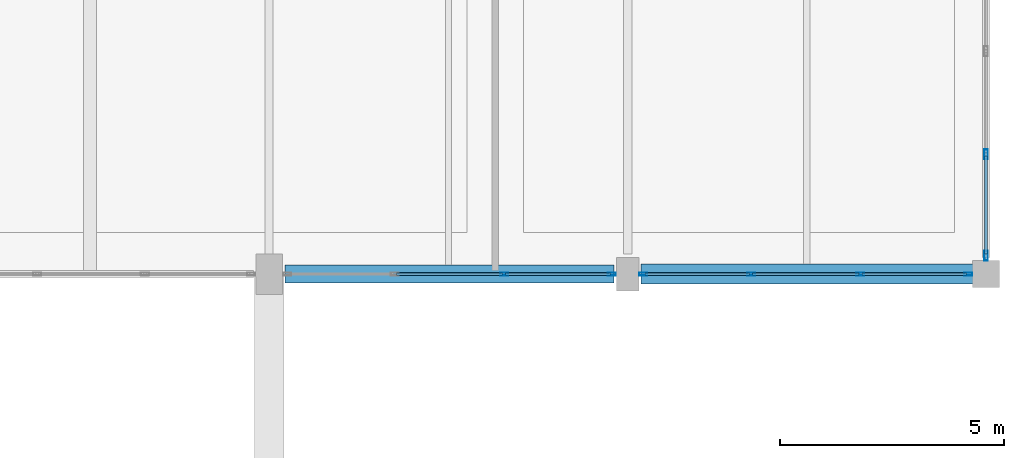
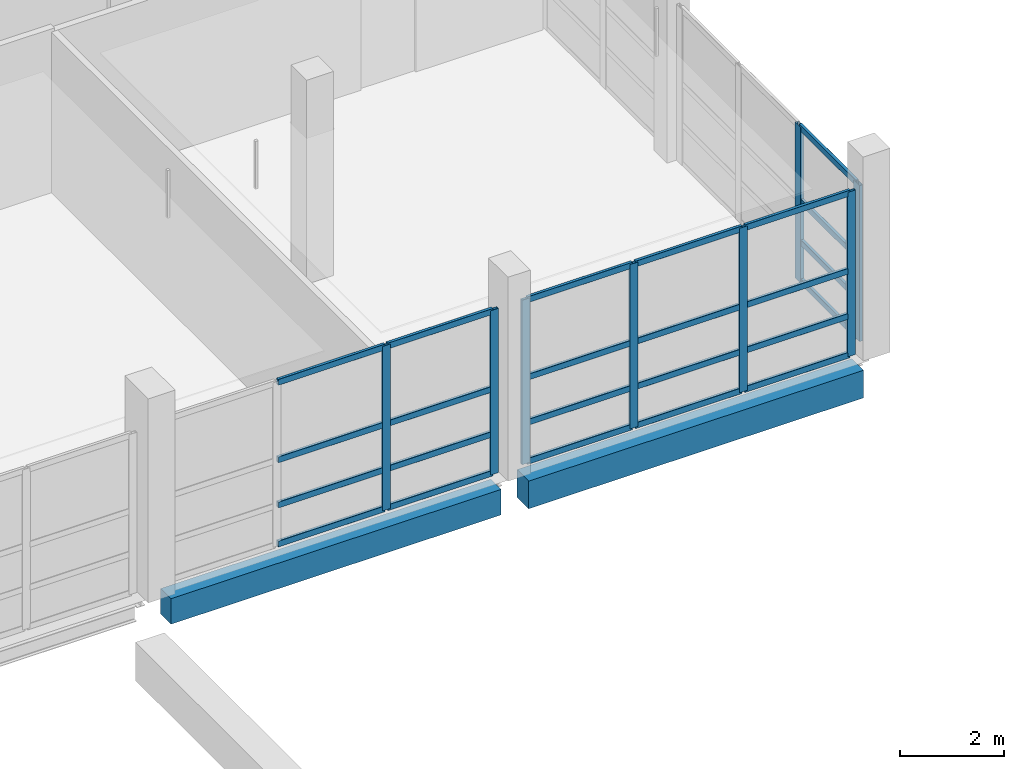
# One storey, part 52 of 107: 32 members, 2 beams, 3 elements without a shape of their own.
"""IFC4 building model written with IfcOpenShell, lengths in metres."""

from ifc_helpers import new_model, si_unit, direction, frame, origin, origin_2d, place, context, subcontext, project, spatial, rectangle, hollow_rectangle, extrude, material, material_profile, profile_set, type_object, element, aggregate, save


model = new_model("IFC4")

# Units and contexts
model_context = context("Model", 3, precision=1e-05, world=origin(), true_north=direction((0.0, 1.0)))
body_context = subcontext(model_context, "Body", "Model", "MODEL_VIEW")
ifc_project = project(units=[si_unit("LENGTHUNIT", "METRE"), si_unit("AREAUNIT", "SQUARE_METRE"), si_unit("VOLUMEUNIT", "CUBIC_METRE"), si_unit("PLANEANGLEUNIT", "RADIAN"), si_unit("MASSUNIT", "GRAM", prefix="KILO")], contexts=[model_context])

# Site, building, storey
site_placement = place(None, origin())
site = spatial("IfcSite", under=ifc_project, at=site_placement, CompositionType="ELEMENT")
building_placement = place(site_placement, origin())
building = spatial("IfcBuilding", under=site, at=building_placement, Name="Khelvaren Railside Concert Hall", CompositionType="ELEMENT")
storey_placement = place(building_placement, frame((0.0, 0.0, 15.0)))
storey = spatial("IfcBuildingStorey", under=building, at=storey_placement, Name="L03", CompositionType="ELEMENT", Elevation=15.0)

# Curtain wall, members
ifc_material_1 = material(Name="Double-glazed clear foyer glass", Category="glass")
curtain_wall_type_1 = type_object("IfcCurtainWallType", Name="CW68", PredefinedType="USERDEFINED", material=ifc_material_1)
curtain_wall_1_placement = place(storey_placement, origin())
curtain_wall_1 = element("IfcCurtainWall", 1, at=curtain_wall_1_placement, inside=storey, type_object=curtain_wall_type_1, Name="Unitised Curtain Wall CW-V5-L03-E-91", ObjectType="UNITISED CURTAIN WALL", PredefinedType="USERDEFINED")
ifc_material_2 = material(Name="Anodised architectural aluminium 6063-T6", Category="aluminium")
ifc_material_profile_1 = material_profile(ifc_material_2, hollow_rectangle(XDim=0.074951171875, YDim=0.219970703125, WallThickness=0.0048828125, InnerFilletRadius=0.0029296875, OuterFilletRadius=0.0048828125, at=origin_2d()), Name="CWM 75x220x5")
ifc_profile_set_1 = profile_set([ifc_material_profile_1], Name="Anodised architectural aluminium 6063-T6")
member_type_1 = type_object("IfcMemberType", Name="CWM13", PredefinedType="MULLION", material=ifc_profile_set_1)
member_1_placement = place(storey_placement, frame((184.0, 93.874267578125, 0.0), z_axis=(0.0, 0.0, 1.0), x_axis=(1.0, 0.0, 0.0)))
member_1 = element("IfcMember", 2, at=member_1_placement, type_object=member_type_1, Name="CW68 mullion 3", PredefinedType="MULLION", context=body_context, shape_type="SweptSolid", body=[
    extrude(hollow_rectangle(XDim=0.074951171875, YDim=0.219970703125, WallThickness=0.0048828125, InnerFilletRadius=0.0029296875, OuterFilletRadius=0.0048828125, at=origin_2d()), origin(), (0.0, 0.0, 1.0), 3.669921875),
])
member_2_placement = place(storey_placement, frame((184.0, 91.610107421875, 0.0), z_axis=(0.0, 0.0, 1.0), x_axis=(1.0, 0.0, 0.0)))
member_2 = element("IfcMember", 3, at=member_2_placement, type_object=member_type_1, Name="CW68 mullion 4", PredefinedType="MULLION", context=body_context, shape_type="SweptSolid", body=[
    extrude(hollow_rectangle(XDim=0.074951171875, YDim=0.219970703125, WallThickness=0.0048828125, InnerFilletRadius=0.0029296875, OuterFilletRadius=0.0048828125, at=origin_2d()), origin(), (0.0, 0.0, 1.0), 3.669921875),
])

ifc_material_3 = material(Name="Double-glazed low-E dark acoustic glass", Category="glass")
curtain_wall_type_2 = type_object("IfcCurtainWallType", Name="CW94", PredefinedType="USERDEFINED", material=ifc_material_3)
curtain_wall_2_placement = place(storey_placement, origin())
curtain_wall_2 = element("IfcCurtainWall", 4, at=curtain_wall_2_placement, inside=storey, type_object=curtain_wall_type_2, Name="Unitised Curtain Wall CW-V5-L03-S-168", ObjectType="UNITISED CURTAIN WALL", PredefinedType="USERDEFINED")
ifc_material_profile_2 = material_profile(ifc_material_2, hollow_rectangle(XDim=0.06494140625, YDim=0.179931640625, WallThickness=0.00390625, InnerFilletRadius=0.001953125, OuterFilletRadius=0.00390625, at=origin_2d()), Name="CWM 65x180x4")
ifc_profile_set_2 = profile_set([ifc_material_profile_2], Name="Anodised architectural aluminium 6063-T6")
member_type_2 = type_object("IfcMemberType", Name="CWM63", PredefinedType="MULLION", material=ifc_profile_set_2)
member_3_placement = place(storey_placement, frame((175.64990234375, 91.199951171875, 0.0), z_axis=(0.0, 0.0, 1.0), x_axis=(0.0, -1.0, 0.0)))
member_3 = element("IfcMember", 5, at=member_3_placement, type_object=member_type_2, Name="CW94 mullion 1", PredefinedType="MULLION", context=body_context, shape_type="SweptSolid", body=[
    extrude(hollow_rectangle(XDim=0.06494140625, YDim=0.179931640625, WallThickness=0.00390625, InnerFilletRadius=0.001953125, OuterFilletRadius=0.00390625, at=origin_2d()), origin(), (0.0, 0.0, 1.0), 3.8701171875),
])
member_4_placement = place(storey_placement, frame((173.244140625, 91.199951171875, 0.0), z_axis=(0.0, 0.0, 1.0), x_axis=(0.0, -1.0, 0.0)))
member_4 = element("IfcMember", 6, at=member_4_placement, type_object=member_type_2, Name="CW94 mullion 2", PredefinedType="MULLION", context=body_context, shape_type="SweptSolid", body=[
    extrude(hollow_rectangle(XDim=0.06494140625, YDim=0.179931640625, WallThickness=0.00390625, InnerFilletRadius=0.001953125, OuterFilletRadius=0.00390625, at=origin_2d()), origin(), (0.0, 0.0, 1.0), 3.8701171875),
])

curtain_wall_type_3 = type_object("IfcCurtainWallType", Name="CW65", PredefinedType="USERDEFINED", material=ifc_material_3)
curtain_wall_3_placement = place(storey_placement, origin())
curtain_wall_3 = element("IfcCurtainWall", 7, at=curtain_wall_3_placement, inside=storey, type_object=curtain_wall_type_3, Name="Unitised Curtain Wall CW-V5-L03-S-176", ObjectType="UNITISED CURTAIN WALL", PredefinedType="USERDEFINED")
member_5_placement = place(storey_placement, frame((183.60009765625, 91.199951171875, 0.0), z_axis=(0.0, 0.0, 1.0), x_axis=(0.0, -1.0, 0.0)))
member_5 = element("IfcMember", 8, at=member_5_placement, type_object=member_type_2, Name="CW65 mullion 1", PredefinedType="MULLION", context=body_context, shape_type="SweptSolid", body=[
    extrude(hollow_rectangle(XDim=0.06494140625, YDim=0.179931640625, WallThickness=0.00390625, InnerFilletRadius=0.001953125, OuterFilletRadius=0.00390625, at=origin_2d()), origin(), (0.0, 0.0, 1.0), 3.8701171875),
])
member_6_placement = place(storey_placement, frame((181.194091796875, 91.199951171875, 0.0), z_axis=(0.0, 0.0, 1.0), x_axis=(0.0, -1.0, 0.0)))
member_6 = element("IfcMember", 9, at=member_6_placement, type_object=member_type_2, Name="CW65 mullion 2", PredefinedType="MULLION", context=body_context, shape_type="SweptSolid", body=[
    extrude(hollow_rectangle(XDim=0.06494140625, YDim=0.179931640625, WallThickness=0.00390625, InnerFilletRadius=0.001953125, OuterFilletRadius=0.00390625, at=origin_2d()), origin(), (0.0, 0.0, 1.0), 3.8701171875),
])
member_7_placement = place(storey_placement, frame((178.755859375, 91.199951171875, 0.0), z_axis=(0.0, 0.0, 1.0), x_axis=(0.0, -1.0, 0.0)))
member_7 = element("IfcMember", 10, at=member_7_placement, type_object=member_type_2, Name="CW65 mullion 3", PredefinedType="MULLION", context=body_context, shape_type="SweptSolid", body=[
    extrude(hollow_rectangle(XDim=0.06494140625, YDim=0.179931640625, WallThickness=0.00390625, InnerFilletRadius=0.001953125, OuterFilletRadius=0.00390625, at=origin_2d()), origin(), (0.0, 0.0, 1.0), 3.8701171875),
])
member_8_placement = place(storey_placement, frame((176.35009765625, 91.199951171875, 0.0), z_axis=(0.0, 0.0, 1.0), x_axis=(0.0, -1.0, 0.0)))
member_8 = element("IfcMember", 11, at=member_8_placement, type_object=member_type_2, Name="CW65 mullion 4", PredefinedType="MULLION", context=body_context, shape_type="SweptSolid", body=[
    extrude(hollow_rectangle(XDim=0.06494140625, YDim=0.179931640625, WallThickness=0.00390625, InnerFilletRadius=0.001953125, OuterFilletRadius=0.00390625, at=origin_2d()), origin(), (0.0, 0.0, 1.0), 3.8701171875),
])

# Member
ifc_material_profile_3 = material_profile(ifc_material_2, hollow_rectangle(XDim=0.06494140625, YDim=0.139892578125, WallThickness=0.00390625, InnerFilletRadius=0.001953125, OuterFilletRadius=0.00390625, at=origin_2d()), Name="CWT 65x140x4")
ifc_profile_set_3 = profile_set([ifc_material_profile_3], Name="Anodised architectural aluminium 6063-T6")
member_type_3 = type_object("IfcMemberType", Name="CWT72", PredefinedType="USERDEFINED", material=ifc_profile_set_3)
member_9_placement = place(storey_placement, frame((175.617431640625, 91.199951171875, 0.032470703125), z_axis=(-1.0, 0.0, 0.0), x_axis=(0.0, -1.0, 0.0)))
member_9 = element("IfcMember", 12, at=member_9_placement, type_object=member_type_3, Name="CW94 transom 1.1", ObjectType="TRANSOM", PredefinedType="USERDEFINED", context=body_context, shape_type="SweptSolid", body=[
    extrude(hollow_rectangle(XDim=0.06494140625, YDim=0.139892578125, WallThickness=0.00390625, InnerFilletRadius=0.001953125, OuterFilletRadius=0.00390625, at=origin_2d()), origin(), (0.0, 0.0, 1.0), 2.3408203125),
])

member_10_placement = place(storey_placement, frame((175.617431640625, 91.199951171875, 0.949951171875), z_axis=(-1.0, 0.0, 0.0), x_axis=(0.0, -1.0, 0.0)))
member_10 = element("IfcMember", 13, at=member_10_placement, type_object=member_type_3, Name="CW94 transom 1.2", ObjectType="TRANSOM", PredefinedType="USERDEFINED", context=body_context, shape_type="SweptSolid", body=[
    extrude(hollow_rectangle(XDim=0.06494140625, YDim=0.139892578125, WallThickness=0.00390625, InnerFilletRadius=0.001953125, OuterFilletRadius=0.00390625, at=origin_2d()), origin(), (0.0, 0.0, 1.0), 2.3408203125),
])

member_11_placement = place(storey_placement, frame((175.617431640625, 91.199951171875, 2.012451171875), z_axis=(-1.0, 0.0, 0.0), x_axis=(0.0, -1.0, 0.0)))
member_11 = element("IfcMember", 14, at=member_11_placement, type_object=member_type_3, Name="CW94 transom 1.3", ObjectType="TRANSOM", PredefinedType="USERDEFINED", context=body_context, shape_type="SweptSolid", body=[
    extrude(hollow_rectangle(XDim=0.06494140625, YDim=0.139892578125, WallThickness=0.00390625, InnerFilletRadius=0.001953125, OuterFilletRadius=0.00390625, at=origin_2d()), origin(), (0.0, 0.0, 1.0), 2.3408203125),
])

member_12_placement = place(storey_placement, frame((175.617431640625, 91.199951171875, 3.83740234375), z_axis=(-1.0, 0.0, 0.0), x_axis=(0.0, -1.0, 0.0)))
member_12 = element("IfcMember", 15, at=member_12_placement, type_object=member_type_3, Name="CW94 transom 1.4", ObjectType="TRANSOM", PredefinedType="USERDEFINED", context=body_context, shape_type="SweptSolid", body=[
    extrude(hollow_rectangle(XDim=0.06494140625, YDim=0.139892578125, WallThickness=0.00390625, InnerFilletRadius=0.001953125, OuterFilletRadius=0.00390625, at=origin_2d()), origin(), (0.0, 0.0, 1.0), 2.3408203125),
])

member_13_placement = place(storey_placement, frame((173.211669921875, 91.199951171875, 0.032470703125), z_axis=(-1.0, 0.0, 0.0), x_axis=(0.0, -1.0, 0.0)))
member_13 = element("IfcMember", 16, at=member_13_placement, type_object=member_type_3, Name="CW94 transom 2.1", ObjectType="TRANSOM", PredefinedType="USERDEFINED", context=body_context, shape_type="SweptSolid", body=[
    extrude(hollow_rectangle(XDim=0.06494140625, YDim=0.139892578125, WallThickness=0.00390625, InnerFilletRadius=0.001953125, OuterFilletRadius=0.00390625, at=origin_2d()), origin(), (0.0, 0.0, 1.0), 2.373291015625),
])

member_14_placement = place(storey_placement, frame((173.211669921875, 91.199951171875, 0.949951171875), z_axis=(-1.0, 0.0, 0.0), x_axis=(0.0, -1.0, 0.0)))
member_14 = element("IfcMember", 17, at=member_14_placement, type_object=member_type_3, Name="CW94 transom 2.2", ObjectType="TRANSOM", PredefinedType="USERDEFINED", context=body_context, shape_type="SweptSolid", body=[
    extrude(hollow_rectangle(XDim=0.06494140625, YDim=0.139892578125, WallThickness=0.00390625, InnerFilletRadius=0.001953125, OuterFilletRadius=0.00390625, at=origin_2d()), origin(), (0.0, 0.0, 1.0), 2.373291015625),
])

member_15_placement = place(storey_placement, frame((173.211669921875, 91.199951171875, 2.012451171875), z_axis=(-1.0, 0.0, 0.0), x_axis=(0.0, -1.0, 0.0)))
member_15 = element("IfcMember", 18, at=member_15_placement, type_object=member_type_3, Name="CW94 transom 2.3", ObjectType="TRANSOM", PredefinedType="USERDEFINED", context=body_context, shape_type="SweptSolid", body=[
    extrude(hollow_rectangle(XDim=0.06494140625, YDim=0.139892578125, WallThickness=0.00390625, InnerFilletRadius=0.001953125, OuterFilletRadius=0.00390625, at=origin_2d()), origin(), (0.0, 0.0, 1.0), 2.373291015625),
])

member_16_placement = place(storey_placement, frame((173.211669921875, 91.199951171875, 3.83740234375), z_axis=(-1.0, 0.0, 0.0), x_axis=(0.0, -1.0, 0.0)))
member_16 = element("IfcMember", 19, at=member_16_placement, type_object=member_type_3, Name="CW94 transom 2.4", ObjectType="TRANSOM", PredefinedType="USERDEFINED", context=body_context, shape_type="SweptSolid", body=[
    extrude(hollow_rectangle(XDim=0.06494140625, YDim=0.139892578125, WallThickness=0.00390625, InnerFilletRadius=0.001953125, OuterFilletRadius=0.00390625, at=origin_2d()), origin(), (0.0, 0.0, 1.0), 2.373291015625),
])

aggregate(curtain_wall_2, [member_3, member_4, member_9, member_10, member_11, member_12, member_13, member_14, member_15, member_16])

member_17_placement = place(storey_placement, frame((183.5673828125, 91.199951171875, 0.032470703125), z_axis=(-1.0, 0.0, 0.0), x_axis=(0.0, -1.0, 0.0)))
member_17 = element("IfcMember", 20, at=member_17_placement, type_object=member_type_3, Name="CW65 transom 1.1", ObjectType="TRANSOM", PredefinedType="USERDEFINED", context=body_context, shape_type="SweptSolid", body=[
    extrude(hollow_rectangle(XDim=0.06494140625, YDim=0.139892578125, WallThickness=0.00390625, InnerFilletRadius=0.001953125, OuterFilletRadius=0.00390625, at=origin_2d()), origin(), (0.0, 0.0, 1.0), 2.3408203125),
])

member_18_placement = place(storey_placement, frame((183.5673828125, 91.199951171875, 0.949951171875), z_axis=(-1.0, 0.0, 0.0), x_axis=(0.0, -1.0, 0.0)))
member_18 = element("IfcMember", 21, at=member_18_placement, type_object=member_type_3, Name="CW65 transom 1.2", ObjectType="TRANSOM", PredefinedType="USERDEFINED", context=body_context, shape_type="SweptSolid", body=[
    extrude(hollow_rectangle(XDim=0.06494140625, YDim=0.139892578125, WallThickness=0.00390625, InnerFilletRadius=0.001953125, OuterFilletRadius=0.00390625, at=origin_2d()), origin(), (0.0, 0.0, 1.0), 2.3408203125),
])

member_19_placement = place(storey_placement, frame((183.5673828125, 91.199951171875, 2.012451171875), z_axis=(-1.0, 0.0, 0.0), x_axis=(0.0, -1.0, 0.0)))
member_19 = element("IfcMember", 22, at=member_19_placement, type_object=member_type_3, Name="CW65 transom 1.3", ObjectType="TRANSOM", PredefinedType="USERDEFINED", context=body_context, shape_type="SweptSolid", body=[
    extrude(hollow_rectangle(XDim=0.06494140625, YDim=0.139892578125, WallThickness=0.00390625, InnerFilletRadius=0.001953125, OuterFilletRadius=0.00390625, at=origin_2d()), origin(), (0.0, 0.0, 1.0), 2.3408203125),
])

member_20_placement = place(storey_placement, frame((183.5673828125, 91.199951171875, 3.83740234375), z_axis=(-1.0, 0.0, 0.0), x_axis=(0.0, -1.0, 0.0)))
member_20 = element("IfcMember", 23, at=member_20_placement, type_object=member_type_3, Name="CW65 transom 1.4", ObjectType="TRANSOM", PredefinedType="USERDEFINED", context=body_context, shape_type="SweptSolid", body=[
    extrude(hollow_rectangle(XDim=0.06494140625, YDim=0.139892578125, WallThickness=0.00390625, InnerFilletRadius=0.001953125, OuterFilletRadius=0.00390625, at=origin_2d()), origin(), (0.0, 0.0, 1.0), 2.3408203125),
])

member_21_placement = place(storey_placement, frame((181.16162109375, 91.199951171875, 0.032470703125), z_axis=(-1.0, 0.0, 0.0), x_axis=(0.0, -1.0, 0.0)))
member_21 = element("IfcMember", 24, at=member_21_placement, type_object=member_type_3, Name="CW65 transom 2.1", ObjectType="TRANSOM", PredefinedType="USERDEFINED", context=body_context, shape_type="SweptSolid", body=[
    extrude(hollow_rectangle(XDim=0.06494140625, YDim=0.139892578125, WallThickness=0.00390625, InnerFilletRadius=0.001953125, OuterFilletRadius=0.00390625, at=origin_2d()), origin(), (0.0, 0.0, 1.0), 2.373291015625),
])

member_22_placement = place(storey_placement, frame((181.16162109375, 91.199951171875, 0.949951171875), z_axis=(-1.0, 0.0, 0.0), x_axis=(0.0, -1.0, 0.0)))
member_22 = element("IfcMember", 25, at=member_22_placement, type_object=member_type_3, Name="CW65 transom 2.2", ObjectType="TRANSOM", PredefinedType="USERDEFINED", context=body_context, shape_type="SweptSolid", body=[
    extrude(hollow_rectangle(XDim=0.06494140625, YDim=0.139892578125, WallThickness=0.00390625, InnerFilletRadius=0.001953125, OuterFilletRadius=0.00390625, at=origin_2d()), origin(), (0.0, 0.0, 1.0), 2.373291015625),
])

member_23_placement = place(storey_placement, frame((181.16162109375, 91.199951171875, 2.012451171875), z_axis=(-1.0, 0.0, 0.0), x_axis=(0.0, -1.0, 0.0)))
member_23 = element("IfcMember", 26, at=member_23_placement, type_object=member_type_3, Name="CW65 transom 2.3", ObjectType="TRANSOM", PredefinedType="USERDEFINED", context=body_context, shape_type="SweptSolid", body=[
    extrude(hollow_rectangle(XDim=0.06494140625, YDim=0.139892578125, WallThickness=0.00390625, InnerFilletRadius=0.001953125, OuterFilletRadius=0.00390625, at=origin_2d()), origin(), (0.0, 0.0, 1.0), 2.373291015625),
])

member_24_placement = place(storey_placement, frame((181.16162109375, 91.199951171875, 3.83740234375), z_axis=(-1.0, 0.0, 0.0), x_axis=(0.0, -1.0, 0.0)))
member_24 = element("IfcMember", 27, at=member_24_placement, type_object=member_type_3, Name="CW65 transom 2.4", ObjectType="TRANSOM", PredefinedType="USERDEFINED", context=body_context, shape_type="SweptSolid", body=[
    extrude(hollow_rectangle(XDim=0.06494140625, YDim=0.139892578125, WallThickness=0.00390625, InnerFilletRadius=0.001953125, OuterFilletRadius=0.00390625, at=origin_2d()), origin(), (0.0, 0.0, 1.0), 2.373291015625),
])

member_25_placement = place(storey_placement, frame((178.723388671875, 91.199951171875, 0.032470703125), z_axis=(-1.0, 0.0, 0.0), x_axis=(0.0, -1.0, 0.0)))
member_25 = element("IfcMember", 28, at=member_25_placement, type_object=member_type_3, Name="CW65 transom 3.1", ObjectType="TRANSOM", PredefinedType="USERDEFINED", context=body_context, shape_type="SweptSolid", body=[
    extrude(hollow_rectangle(XDim=0.06494140625, YDim=0.139892578125, WallThickness=0.00390625, InnerFilletRadius=0.001953125, OuterFilletRadius=0.00390625, at=origin_2d()), origin(), (0.0, 0.0, 1.0), 2.3408203125),
])

member_26_placement = place(storey_placement, frame((178.723388671875, 91.199951171875, 0.949951171875), z_axis=(-1.0, 0.0, 0.0), x_axis=(0.0, -1.0, 0.0)))
member_26 = element("IfcMember", 29, at=member_26_placement, type_object=member_type_3, Name="CW65 transom 3.2", ObjectType="TRANSOM", PredefinedType="USERDEFINED", context=body_context, shape_type="SweptSolid", body=[
    extrude(hollow_rectangle(XDim=0.06494140625, YDim=0.139892578125, WallThickness=0.00390625, InnerFilletRadius=0.001953125, OuterFilletRadius=0.00390625, at=origin_2d()), origin(), (0.0, 0.0, 1.0), 2.3408203125),
])

member_27_placement = place(storey_placement, frame((178.723388671875, 91.199951171875, 2.012451171875), z_axis=(-1.0, 0.0, 0.0), x_axis=(0.0, -1.0, 0.0)))
member_27 = element("IfcMember", 30, at=member_27_placement, type_object=member_type_3, Name="CW65 transom 3.3", ObjectType="TRANSOM", PredefinedType="USERDEFINED", context=body_context, shape_type="SweptSolid", body=[
    extrude(hollow_rectangle(XDim=0.06494140625, YDim=0.139892578125, WallThickness=0.00390625, InnerFilletRadius=0.001953125, OuterFilletRadius=0.00390625, at=origin_2d()), origin(), (0.0, 0.0, 1.0), 2.3408203125),
])

member_28_placement = place(storey_placement, frame((178.723388671875, 91.199951171875, 3.83740234375), z_axis=(-1.0, 0.0, 0.0), x_axis=(0.0, -1.0, 0.0)))
member_28 = element("IfcMember", 31, at=member_28_placement, type_object=member_type_3, Name="CW65 transom 3.4", ObjectType="TRANSOM", PredefinedType="USERDEFINED", context=body_context, shape_type="SweptSolid", body=[
    extrude(hollow_rectangle(XDim=0.06494140625, YDim=0.139892578125, WallThickness=0.00390625, InnerFilletRadius=0.001953125, OuterFilletRadius=0.00390625, at=origin_2d()), origin(), (0.0, 0.0, 1.0), 2.3408203125),
])

aggregate(curtain_wall_3, [member_5, member_6, member_7, member_8, member_17, member_18, member_19, member_20, member_21, member_22, member_23, member_24, member_25, member_26, member_27, member_28])

member_29_placement = place(storey_placement, frame((184.0, 93.836669921875, 0.032470703125), z_axis=(0.0, -1.0, 0.0), x_axis=(1.0, 0.0, 0.0)))
member_29 = element("IfcMember", 32, at=member_29_placement, type_object=member_type_3, Name="CW68 transom 3.1", ObjectType="TRANSOM", PredefinedType="USERDEFINED", context=body_context, shape_type="SweptSolid", body=[
    extrude(hollow_rectangle(XDim=0.06494140625, YDim=0.139892578125, WallThickness=0.00390625, InnerFilletRadius=0.001953125, OuterFilletRadius=0.00390625, at=origin_2d()), origin(), (0.0, 0.0, 1.0), 2.189208984375),
])

member_30_placement = place(storey_placement, frame((184.0, 93.836669921875, 0.949951171875), z_axis=(0.0, -1.0, 0.0), x_axis=(1.0, 0.0, 0.0)))
member_30 = element("IfcMember", 33, at=member_30_placement, type_object=member_type_3, Name="CW68 transom 3.2", ObjectType="TRANSOM", PredefinedType="USERDEFINED", context=body_context, shape_type="SweptSolid", body=[
    extrude(hollow_rectangle(XDim=0.06494140625, YDim=0.139892578125, WallThickness=0.00390625, InnerFilletRadius=0.001953125, OuterFilletRadius=0.00390625, at=origin_2d()), origin(), (0.0, 0.0, 1.0), 2.189208984375),
])

member_31_placement = place(storey_placement, frame((184.0, 93.836669921875, 1.908447265625), z_axis=(0.0, -1.0, 0.0), x_axis=(1.0, 0.0, 0.0)))
member_31 = element("IfcMember", 34, at=member_31_placement, type_object=member_type_3, Name="CW68 transom 3.3", ObjectType="TRANSOM", PredefinedType="USERDEFINED", context=body_context, shape_type="SweptSolid", body=[
    extrude(hollow_rectangle(XDim=0.06494140625, YDim=0.139892578125, WallThickness=0.00390625, InnerFilletRadius=0.001953125, OuterFilletRadius=0.00390625, at=origin_2d()), origin(), (0.0, 0.0, 1.0), 2.189208984375),
])

member_32_placement = place(storey_placement, frame((184.0, 93.836669921875, 3.637451171875), z_axis=(0.0, -1.0, 0.0), x_axis=(1.0, 0.0, 0.0)))
member_32 = element("IfcMember", 35, at=member_32_placement, type_object=member_type_3, Name="CW68 transom 3.4", ObjectType="TRANSOM", PredefinedType="USERDEFINED", context=body_context, shape_type="SweptSolid", body=[
    extrude(hollow_rectangle(XDim=0.06494140625, YDim=0.139892578125, WallThickness=0.00390625, InnerFilletRadius=0.001953125, OuterFilletRadius=0.00390625, at=origin_2d()), origin(), (0.0, 0.0, 1.0), 2.189208984375),
])

aggregate(curtain_wall_1, [member_1, member_2, member_29, member_30, member_31, member_32])

# Beams
ifc_material_4 = material(Name="Concrete C40/50", Category="concrete")
ifc_material_profile_4 = material_profile(ifc_material_4, rectangle(XDim=0.449951171875, YDim=0.64990234375, at=origin_2d()), Name="RCB 450x650")
ifc_profile_set_4 = profile_set([ifc_material_profile_4], Name="Concrete C40/50")
beam_type_1 = type_object("IfcBeamType", Name="SP34", PredefinedType="SPANDREL", material=ifc_profile_set_4)
beam_1_placement = place(storey_placement, frame((176.300048828125, 91.199951171875, -0.60498046875), z_axis=(1.0, 0.0, 0.0), x_axis=(0.0, 1.0, 0.0)))
element("IfcBeam", 36, at=beam_1_placement, inside=storey, type_object=beam_type_1, Name="V5 L03 Spandrel X2.7", PredefinedType="SPANDREL", context=body_context, shape_type="SweptSolid", body=[
    extrude(rectangle(XDim=0.449951171875, YDim=0.64990234375, at=origin_2d()), origin(), (0.0, 0.0, 1.0), 7.449951171875),
])
ifc_material_profile_5 = material_profile(ifc_material_4, rectangle(XDim=0.39990234375, YDim=0.60009765625, at=origin_2d()), Name="RCB 400x600")
ifc_profile_set_5 = profile_set([ifc_material_profile_5], Name="Concrete C40/50")
beam_type_2 = type_object("IfcBeamType", Name="SP75", PredefinedType="SPANDREL", material=ifc_profile_set_5)
beam_2_placement = place(storey_placement, frame((168.35009765625, 91.199951171875, -0.580078125), z_axis=(1.0, 0.0, 0.0), x_axis=(0.0, 1.0, 0.0)))
element("IfcBeam", 37, at=beam_2_placement, inside=storey, type_object=beam_type_2, Name="V5 L03 Spandrel X2.6", PredefinedType="SPANDREL", context=body_context, shape_type="SweptSolid", body=[
    extrude(rectangle(XDim=0.39990234375, YDim=0.60009765625, at=origin_2d()), origin(), (0.0, 0.0, 1.0), 7.349853515625),
])

save(model, "model.ifc")
